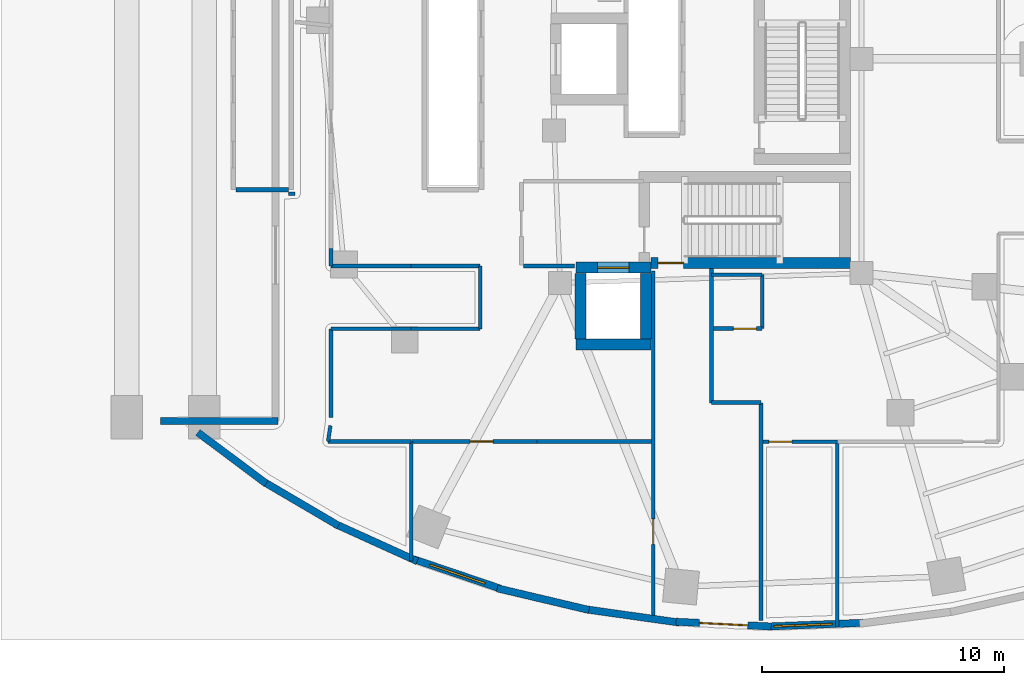
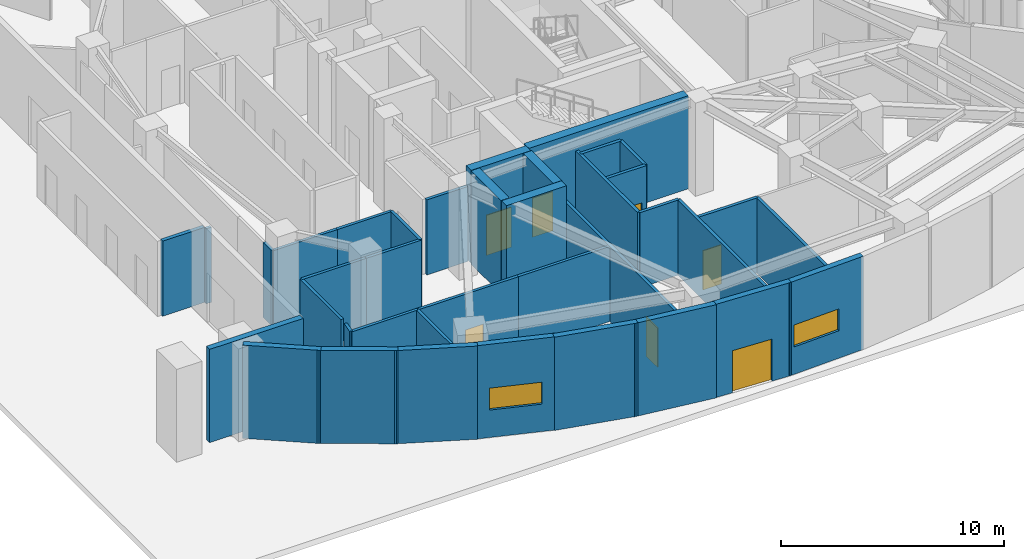
# One storey, part 17 of 28: 38 walls, 7 doors, 2 windows, 9 openings.
"""IFC4 building model written with IfcOpenShell, lengths in metres."""

from ifc_helpers import new_model, si_unit, direction, frame, frame_2d, origin, place, context, subcontext, project, spatial, rectangle, extrude, material, layer, layer_set, type_object, element, fill, save


model = new_model("IFC4")

# Units and contexts
model_context = context("Model", 3, precision=1e-05, world=origin(), true_north=direction((0.0, 1.0)))
body_context = subcontext(model_context, "Body", "Model", "MODEL_VIEW")
ifc_project = project(units=[si_unit("LENGTHUNIT", "METRE"), si_unit("AREAUNIT", "SQUARE_METRE"), si_unit("VOLUMEUNIT", "CUBIC_METRE"), si_unit("PLANEANGLEUNIT", "RADIAN"), si_unit("MASSUNIT", "GRAM", prefix="KILO")], contexts=[model_context])

# Site, building, storey
site_placement = place(None, origin())
site = spatial("IfcSite", under=ifc_project, at=site_placement, CompositionType="ELEMENT")
building_placement = place(site_placement, origin())
building = spatial("IfcBuilding", under=site, at=building_placement, Name="Korentha Bioscience Tower", CompositionType="ELEMENT")
storey_placement = place(building_placement, origin())
storey = spatial("IfcBuildingStorey", under=building, at=storey_placement, Name="L00", CompositionType="ELEMENT", Elevation=0.0)

# Wall, opening, door
ifc_material_1 = material(Name="Double-Stud Acoustic Gypsum", Category="gypsum")
ifc_layer_1 = layer(ifc_material_1, 0.14990234375, Name="Double-Stud Acoustic Gypsum")
ifc_layer_set_1 = layer_set([ifc_layer_1], Name="Double-Stud Acoustic Gypsum (IW-L150)")
wall_type_1 = type_object("IfcWallType", Name="Acoustic Laboratory Partition Wall 150", PredefinedType="PARTITIONING", material=ifc_layer_set_1)
wall_1_placement = place(storey_placement, frame((18.9580078125, 11.199951171875, 0.0), z_axis=(0.0, 0.0, 1.0), x_axis=(1.0, 0.0, 0.0)))
wall_1 = element("IfcWall", 1, at=wall_1_placement, inside=storey, type_object=wall_type_1, Name="L00 Bioscience Outreach Bookstore 02 Entrance Wall", PredefinedType="PARTITIONING", context=body_context, shape_type="SweptSolid", body=[
    extrude(rectangle(XDim=5.182861328125, YDim=0.14990234375, at=frame_2d((2.59130859375, 0.0))), origin(), (0.0, 0.0, 1.0), 4.110107421875),
])
opening_1_placement = place(wall_1_placement, frame((2.429931640625, 0.0, 0.0)))
opening_1 = element("IfcOpeningElement", 2, at=opening_1_placement, cuts=wall_1, Name="Opening ID-10R", PredefinedType="OPENING", context=body_context, shape_type="SweptSolid", body=[
    extrude(rectangle(XDim=0.949951171875, YDim=2.14990234375, at=frame_2d((0.47509765625, 1.074951171875))), frame((0.0, 0.08984375, 0.0), z_axis=(0.0, -1.0, 0.0), x_axis=(1.0, 0.0, 0.0)), (0.0, 0.0, 1.0), 0.1796875),
])
ifc_material_2 = material(Name="Phenolic Laminate Timber Core", Category="wood")
door_type_1 = type_object("IfcDoorType", Name="Laboratory Single Leaf Door 950x2150 Right", OperationType="SINGLE_SWING_RIGHT", PredefinedType="DOOR", material=ifc_material_2)
door_1_placement = place(opening_1_placement, origin())
door_1 = element("IfcDoor", 3, at=door_1_placement, inside=storey, type_object=door_type_1, Name="L00 Bioscience Outreach Bookstore 02 Door", OperationType="SINGLE_SWING_RIGHT", OverallHeight=2.14990234375, OverallWidth=0.949951171875, PredefinedType="DOOR", context=body_context, shape_type="SweptSolid", body=[
    extrude(rectangle(XDim=0.949951171875, YDim=2.14990234375, at=frame_2d((0.47509765625, 1.074951171875))), frame((0.0, 0.02490234375, 0.0), z_axis=(0.0, -1.0, 0.0), x_axis=(1.0, 0.0, 0.0)), (0.0, 0.0, 1.0), 0.050048828125),
])
fill(opening_1, door_1)

# Walls
wall_2_placement = place(storey_placement, frame((13.8798828125, 21.43994140625, 0.0), z_axis=(0.0, 0.0, 1.0), x_axis=(1.0, 0.0, 0.0)))
element("IfcWall", 4, at=wall_2_placement, inside=storey, type_object=wall_type_1, Name="L00 Interior Partition 022", PredefinedType="PARTITIONING", context=body_context, shape_type="SweptSolid", body=[
    extrude(rectangle(XDim=0.27001953125, YDim=0.14990234375, at=frame_2d((0.135009765625, 0.0))), origin(), (0.0, 0.0, 1.0), 4.110107421875),
])
wall_3_placement = place(storey_placement, frame((15.639892578125, 19.1748046875, 0.0), z_axis=(0.0, 0.0, 1.0), x_axis=(0.0, -1.0, 0.0)))
element("IfcWall", 5, at=wall_3_placement, inside=storey, type_object=wall_type_1, Name="L00 Interior Partition 025", PredefinedType="PARTITIONING", context=body_context, shape_type="SweptSolid", body=[
    extrude(rectangle(XDim=0.720703125, YDim=0.14990234375, at=frame_2d((0.3603515625, 0.0))), origin(), (0.0, 0.0, 1.0), 4.110107421875),
])
wall_4_placement = place(storey_placement, frame((15.64404296875, 18.449951171875, 0.0), z_axis=(0.0, 0.0, 1.0), x_axis=(1.0, 0.0, 0.0)))
element("IfcWall", 6, at=wall_4_placement, inside=storey, type_object=wall_type_1, Name="L00 Interior Partition 026", PredefinedType="PARTITIONING", context=body_context, shape_type="SweptSolid", body=[
    extrude(rectangle(XDim=3.3037109375, YDim=0.14990234375, at=frame_2d((1.65185546875, 0.0))), origin(), (0.0, 0.0, 1.0), 4.110107421875),
])
wall_5_placement = place(storey_placement, frame((18.9521484375, 18.449951171875, 0.0), z_axis=(0.0, 0.0, 1.0), x_axis=(1.0, 0.0, 0.0)))
element("IfcWall", 7, at=wall_5_placement, inside=storey, type_object=wall_type_1, Name="L00 Interior Partition 027", PredefinedType="PARTITIONING", context=body_context, shape_type="SweptSolid", body=[
    extrude(rectangle(XDim=2.84765625, YDim=0.14990234375, at=frame_2d((1.423828125, 0.0))), origin(), (0.0, 0.0, 1.0), 4.110107421875),
])
wall_6_placement = place(storey_placement, frame((21.800048828125, 18.449951171875, 0.0), z_axis=(0.0, 0.0, 1.0), x_axis=(0.0, -1.0, 0.0)))
element("IfcWall", 8, at=wall_6_placement, inside=storey, type_object=wall_type_1, Name="L00 Interior Partition 028", PredefinedType="PARTITIONING", context=body_context, shape_type="SweptSolid", body=[
    extrude(rectangle(XDim=2.599853515625, YDim=0.14990234375, at=frame_2d((1.2998046875, 0.0))), origin(), (0.0, 0.0, 1.0), 4.110107421875),
])
wall_7_placement = place(storey_placement, frame((21.7998046875, 15.85009765625, 0.0), z_axis=(0.0, 0.0, 1.0), x_axis=(-1.0, 0.0, 0.0)))
element("IfcWall", 9, at=wall_7_placement, inside=storey, type_object=wall_type_1, Name="L00 Interior Partition 029", PredefinedType="PARTITIONING", context=body_context, shape_type="SweptSolid", body=[
    extrude(rectangle(XDim=2.84765625, YDim=0.14990234375, at=frame_2d((1.423828125, 0.0))), origin(), (0.0, 0.0, 1.0), 4.110107421875),
])
wall_8_placement = place(storey_placement, frame((18.94775390625, 15.85009765625, 0.0), z_axis=(0.0, 0.0, 1.0), x_axis=(-1.0, 0.0, 0.0)))
element("IfcWall", 10, at=wall_8_placement, inside=storey, type_object=wall_type_1, Name="L00 Interior Partition 030", PredefinedType="PARTITIONING", context=body_context, shape_type="SweptSolid", body=[
    extrude(rectangle(XDim=3.3037109375, YDim=0.14990234375, at=frame_2d((1.65185546875, 0.0))), origin(), (0.0, 0.0, 1.0), 4.110107421875),
])
wall_9_placement = place(storey_placement, frame((15.639892578125, 15.845947265625, 0.0), z_axis=(0.0, 0.0, 1.0), x_axis=(0.0, -1.0, 0.0)))
element("IfcWall", 11, at=wall_9_placement, inside=storey, type_object=wall_type_1, Name="L00 Interior Partition 031", PredefinedType="PARTITIONING", context=body_context, shape_type="SweptSolid", body=[
    extrude(rectangle(XDim=3.64599609375, YDim=0.14990234375, at=frame_2d((1.822998046875, 0.0))), origin(), (0.0, 0.0, 1.0), 4.110107421875),
])
wall_10_placement = place(storey_placement, frame((15.615234375, 11.85595703125, 0.0), z_axis=(0.0, 0.0, 1.0), x_axis=(-0.146454599024, -0.989217392904, 0.0)))
element("IfcWall", 12, at=wall_10_placement, inside=storey, type_object=wall_type_1, Name="L00 Interior Partition 032", PredefinedType="PARTITIONING", context=body_context, shape_type="SweptSolid", body=[
    extrude(rectangle(XDim=0.658447265625, YDim=0.14990234375, at=frame_2d((0.3291015625, 0.0))), origin(), (0.0, 0.0, 1.0), 4.110107421875),
])
wall_11_placement = place(storey_placement, frame((15.522705078125, 11.199951171875, 0.0), z_axis=(0.0, 0.0, 1.0), x_axis=(1.0, 0.0, 0.0)))
element("IfcWall", 13, at=wall_11_placement, inside=storey, type_object=wall_type_1, Name="L00 Interior Partition 033", PredefinedType="PARTITIONING", context=body_context, shape_type="SweptSolid", body=[
    extrude(rectangle(XDim=3.425048828125, YDim=0.14990234375, at=frame_2d((1.71240234375, 0.0))), origin(), (0.0, 0.0, 1.0), 4.110107421875),
])
wall_12_placement = place(storey_placement, frame((18.947998046875, 11.19970703125, 0.0), z_axis=(0.0, 0.0, 1.0), x_axis=(0.0, -1.0, 0.0)))
element("IfcWall", 14, at=wall_12_placement, inside=storey, type_object=wall_type_1, Name="L00 Interior Partition 034", PredefinedType="PARTITIONING", context=body_context, shape_type="SweptSolid", body=[
    extrude(rectangle(XDim=4.93310546875, YDim=0.14990234375, at=frame_2d((2.466552734375, 0.0))), origin(), (0.0, 0.0, 1.0), 4.110107421875),
])
wall_13_placement = place(storey_placement, frame((24.145263671875, 11.199951171875, 0.0), z_axis=(0.0, 0.0, 1.0), x_axis=(1.0, 0.0, 0.0)))
element("IfcWall", 15, at=wall_13_placement, inside=storey, type_object=wall_type_1, Name="L00 Interior Partition 035", PredefinedType="PARTITIONING", context=body_context, shape_type="SweptSolid", body=[
    extrude(rectangle(XDim=4.720703125, YDim=0.14990234375, at=frame_2d((2.3603515625, 0.0))), origin(), (0.0, 0.0, 1.0), 4.110107421875),
])
ifc_material_3 = material(Name="Gypsum-Clad Steel Stud", Category="steel")
ifc_layer_2 = layer(ifc_material_3, 0.159912109375, Name="Gypsum-Clad Steel Stud")
ifc_layer_set_2 = layer_set([ifc_layer_2], Name="Gypsum-Clad Steel Stud (IW-C160)")
wall_type_2 = type_object("IfcWallType", Name="Fire-Rated Corridor Partition Wall 160", PredefinedType="PARTITIONING", material=ifc_layer_set_2)
wall_14_placement = place(storey_placement, frame((23.580078125, 18.449951171875, 0.0), z_axis=(0.0, 0.0, 1.0), x_axis=(1.0, 0.0, 0.0)))
element("IfcWall", 16, at=wall_14_placement, inside=storey, type_object=wall_type_2, Name="L00 Firefighting Lobby Return Wall FFLS-S", PredefinedType="PARTITIONING", context=body_context, shape_type="SweptSolid", body=[
    extrude(rectangle(XDim=2.119873046875, YDim=0.159912109375, at=frame_2d((1.06005859375, 0.0))), origin(), (0.0, 0.0, 1.0), 4.110107421875),
])

# Wall, opening, door
wall_15_placement = place(storey_placement, frame((28.949951171875, 18.25, 0.0), z_axis=(0.0, 0.0, 1.0), x_axis=(0.0, -1.0, 0.0)))
wall_15 = element("IfcWall", 17, at=wall_15_placement, inside=storey, type_object=wall_type_2, Name="L00 Protected Exit Passageway Rated Wall EXP2-W2", PredefinedType="PARTITIONING", context=body_context, shape_type="SweptSolid", body=[
    extrude(rectangle(XDim=14.449951171875, YDim=0.159912109375, at=frame_2d((7.22509765625, 0.0))), origin(), (0.0, 0.0, 1.0), 4.110107421875),
])
opening_2_placement = place(wall_15_placement, frame((10.25, 0.0, 0.0)))
opening_2 = element("IfcOpeningElement", 18, at=opening_2_placement, cuts=wall_15, Name="Opening FD-90L", PredefinedType="OPENING", context=body_context, shape_type="SweptSolid", body=[
    extrude(rectangle(XDim=1.050048828125, YDim=2.14990234375, at=frame_2d((0.52490234375, 1.074951171875))), frame((0.0, 0.0947265625, 0.0), z_axis=(0.0, -1.0, 0.0), x_axis=(1.0, 0.0, 0.0)), (0.0, 0.0, 1.0), 0.189697265625),
])
ifc_material_4 = material(Name="Powder-Coated Fire-Rated Steel", Category="steel")
door_type_2 = type_object("IfcDoorType", Name="Stairwell Fire Exit Door 1050x2150 Left", OperationType="SINGLE_SWING_LEFT", PredefinedType="DOOR", material=ifc_material_4)
door_2_placement = place(opening_2_placement, origin())
door_2 = element("IfcDoor", 19, at=door_2_placement, inside=storey, type_object=door_type_2, Name="L00 Exit Passageway Rated Access Door EXP2-W2", OperationType="SINGLE_SWING_LEFT", OverallHeight=2.14990234375, OverallWidth=1.050048828125, PredefinedType="DOOR", context=body_context, shape_type="SweptSolid", body=[
    extrude(rectangle(XDim=1.050048828125, YDim=2.14990234375, at=frame_2d((0.52490234375, 1.074951171875))), frame((0.0, 0.02490234375, 0.0), z_axis=(0.0, -1.0, 0.0), x_axis=(1.0, 0.0, 0.0)), (0.0, 0.0, 1.0), 0.050048828125),
])
fill(opening_2, door_2)

# Walls
wall_16_placement = place(storey_placement, frame((31.35009765625, 12.800048828125, 0.0), z_axis=(0.0, 0.0, 1.0), x_axis=(0.0, 1.0, 0.0)))
element("IfcWall", 20, at=wall_16_placement, inside=storey, type_object=wall_type_2, Name="L00 Protected Exit Passageway Rated Wall EXP2-E1", PredefinedType="PARTITIONING", context=body_context, shape_type="SweptSolid", body=[
    extrude(rectangle(XDim=5.550048828125, YDim=0.159912109375, at=frame_2d((2.77490234375, 0.0))), origin(), (0.0, 0.0, 1.0), 4.110107421875),
])
wall_17_placement = place(storey_placement, frame((33.39990234375, 3.800048828125, 0.0), z_axis=(0.0, 0.0, 1.0), x_axis=(0.0, 1.0, 0.0)))
element("IfcWall", 21, at=wall_17_placement, inside=storey, type_object=wall_type_2, Name="L00 Protected Exit Passageway Rated Wall EXP2-E2", PredefinedType="PARTITIONING", context=body_context, shape_type="SweptSolid", body=[
    extrude(rectangle(XDim=9.0, YDim=0.159912109375, at=frame_2d((4.5, 0.0))), origin(), (0.0, 0.0, 1.0), 4.110107421875),
])

# Wall, opening, door
wall_18_placement = place(storey_placement, frame((33.449951171875, 15.860107421875, 0.0), z_axis=(0.0, 0.0, 1.0), x_axis=(-1.0, 0.0, 0.0)))
wall_18 = element("IfcWall", 22, at=wall_18_placement, inside=storey, type_object=wall_type_2, Name="L00 Core Instrumentation and Gas Store Entrance Wall", PredefinedType="PARTITIONING", context=body_context, shape_type="SweptSolid", body=[
    extrude(rectangle(XDim=2.02001953125, YDim=0.159912109375, at=frame_2d((1.010009765625, 0.0))), origin(), (0.0, 0.0, 1.0), 4.110107421875),
])
opening_3_placement = place(wall_18_placement, frame((0.239990234375, 0.0, 0.0)))
opening_3 = element("IfcOpeningElement", 23, at=opening_3_placement, cuts=wall_18, Name="Opening ID-10L", PredefinedType="OPENING", context=body_context, shape_type="SweptSolid", body=[
    extrude(rectangle(XDim=0.949951171875, YDim=2.14990234375, at=frame_2d((0.47509765625, 1.074951171875))), frame((0.0, 0.0947265625, 0.0), z_axis=(0.0, -1.0, 0.0), x_axis=(1.0, 0.0, 0.0)), (0.0, 0.0, 1.0), 0.189697265625),
])
door_type_3 = type_object("IfcDoorType", Name="Laboratory Single Leaf Door 950x2150 Left", OperationType="SINGLE_SWING_LEFT", PredefinedType="DOOR", material=ifc_material_2)
door_3_placement = place(opening_3_placement, origin())
door_3 = element("IfcDoor", 24, at=door_3_placement, inside=storey, type_object=door_type_3, Name="L00 Core Instrumentation and Gas Store Door", OperationType="SINGLE_SWING_LEFT", OverallHeight=2.14990234375, OverallWidth=0.949951171875, PredefinedType="DOOR", context=body_context, shape_type="SweptSolid", body=[
    extrude(rectangle(XDim=0.949951171875, YDim=2.14990234375, at=frame_2d((0.47509765625, 1.074951171875))), frame((0.0, 0.02490234375, 0.0), z_axis=(0.0, -1.0, 0.0), x_axis=(1.0, 0.0, 0.0)), (0.0, 0.0, 1.0), 0.050048828125),
])
fill(opening_3, door_3)

wall_19_placement = place(storey_placement, frame((33.47998046875, 11.18994140625, 0.0), z_axis=(0.0, 0.0, 1.0), x_axis=(1.0, 0.0, 0.0)))
wall_19 = element("IfcWall", 25, at=wall_19_placement, inside=storey, type_object=wall_type_2, Name="L00 Courier Specimen Receiving Room 03 Entrance Wall", PredefinedType="PARTITIONING", context=body_context, shape_type="SweptSolid", body=[
    extrude(rectangle(XDim=3.068115234375, YDim=0.159912109375, at=frame_2d((1.5341796875, 0.0))), origin(), (0.0, 0.0, 1.0), 4.110107421875),
])
opening_4_placement = place(wall_19_placement, frame((0.239990234375, 0.0, 0.0)))
opening_4 = element("IfcOpeningElement", 26, at=opening_4_placement, cuts=wall_19, Name="Opening ID-10L", PredefinedType="OPENING", context=body_context, shape_type="SweptSolid", body=[
    extrude(rectangle(XDim=0.949951171875, YDim=2.14990234375, at=frame_2d((0.47509765625, 1.074951171875))), frame((0.0, 0.0947265625, 0.0), z_axis=(0.0, -1.0, 0.0), x_axis=(1.0, 0.0, 0.0)), (0.0, 0.0, 1.0), 0.189697265625),
])
door_4_placement = place(opening_4_placement, origin())
door_4 = element("IfcDoor", 27, at=door_4_placement, inside=storey, type_object=door_type_3, Name="L00 Courier Specimen Receiving Room 03 Door", OperationType="SINGLE_SWING_LEFT", OverallHeight=2.14990234375, OverallWidth=0.949951171875, PredefinedType="DOOR", context=body_context, shape_type="SweptSolid", body=[
    extrude(rectangle(XDim=0.949951171875, YDim=2.14990234375, at=frame_2d((0.47509765625, 1.074951171875))), frame((0.0, 0.02490234375, 0.0), z_axis=(0.0, -1.0, 0.0), x_axis=(1.0, 0.0, 0.0)), (0.0, 0.0, 1.0), 0.050048828125),
])
fill(opening_4, door_4)

# Walls
wall_20_placement = place(storey_placement, frame((31.360107421875, 18.090087890625, 0.0), z_axis=(0.0, 0.0, 1.0), x_axis=(1.0, 0.0, 0.0)))
element("IfcWall", 28, at=wall_20_placement, inside=storey, type_object=wall_type_2, Name="L00 Interior Partition 018", PredefinedType="PARTITIONING", context=body_context, shape_type="SweptSolid", body=[
    extrude(rectangle(XDim=2.08984375, YDim=0.159912109375, at=frame_2d((1.044921875, 0.0))), origin(), (0.0, 0.0, 1.0), 4.110107421875),
])
wall_21_placement = place(storey_placement, frame((33.449951171875, 18.090087890625, 0.0), z_axis=(0.0, 0.0, 1.0), x_axis=(0.0, -1.0, 0.0)))
element("IfcWall", 29, at=wall_21_placement, inside=storey, type_object=wall_type_2, Name="L00 Interior Partition 019", PredefinedType="PARTITIONING", context=body_context, shape_type="SweptSolid", body=[
    extrude(rectangle(XDim=2.22998046875, YDim=0.159912109375, at=frame_2d((1.114990234375, 0.0))), origin(), (0.0, 0.0, 1.0), 4.110107421875),
])
wall_22_placement = place(storey_placement, frame((33.39990234375, 12.81005859375, 0.0), z_axis=(0.0, 0.0, 1.0), x_axis=(-1.0, 0.0, 0.0)))
element("IfcWall", 30, at=wall_22_placement, inside=storey, type_object=wall_type_2, Name="L00 Interior Partition 036", PredefinedType="PARTITIONING", context=body_context, shape_type="SweptSolid", body=[
    extrude(rectangle(XDim=2.039794921875, YDim=0.159912109375, at=frame_2d((1.02001953125, 0.0))), origin(), (0.0, 0.0, 1.0), 4.110107421875),
])
wall_23_placement = place(storey_placement, frame((36.548095703125, 11.18994140625, 0.0), z_axis=(0.0, 0.0, 1.0), x_axis=(0.0, -1.0, 0.0)))
element("IfcWall", 31, at=wall_23_placement, inside=storey, type_object=wall_type_2, Name="L00 Interior Partition 037", PredefinedType="PARTITIONING", context=body_context, shape_type="SweptSolid", body=[
    extrude(rectangle(XDim=7.660400390625, YDim=0.159912109375, at=frame_2d((3.830078125, 0.0))), origin(), (0.0, 0.0, 1.0), 4.110107421875),
])

# Wall, opening, window
ifc_material_5 = material(Name="Honed Limestone Precast Concrete C40", Category="masonry")
ifc_layer_3 = layer(ifc_material_5, 0.300048828125, Name="Honed Limestone Precast Concrete C40")
ifc_layer_set_3 = layer_set([ifc_layer_3], Name="Honed Limestone Precast Concrete C40 (EW-ST300)")
wall_type_3 = type_object("IfcWallType", Name="Honed Limestone Cavity Spandrel Wall 300", PredefinedType="STANDARD", material=ifc_layer_set_3)
wall_24_placement = place(storey_placement, frame((19.0654296875, 6.333251953125, 0.0), z_axis=(0.0, 0.0, 1.0), x_axis=(0.947034337234, -0.321132315564, 0.0)))
wall_24 = element("IfcWall", 32, at=wall_24_placement, inside=storey, type_object=wall_type_3, Name="L00 Honed Limestone Spandrel Wall 28", PredefinedType="STANDARD", context=body_context, shape_type="SweptSolid", body=[
    extrude(rectangle(XDim=3.789794921875, YDim=0.300048828125, at=frame_2d((1.89501953125, 0.0))), origin(), (0.0, 0.0, 1.0), 5.10009765625),
])
opening_5_placement = place(wall_24_placement, frame((0.69482421875, 0.0, 1.5)))
opening_5 = element("IfcOpeningElement", 33, at=opening_5_placement, cuts=wall_24, Name="Opening WN-04", PredefinedType="OPENING", context=body_context, shape_type="SweptSolid", body=[
    extrude(rectangle(XDim=2.39990234375, YDim=1.199951171875, at=frame_2d((1.199951171875, 0.60009765625))), frame((0.0, 0.1650390625, 0.0), z_axis=(0.0, -1.0, 0.0), x_axis=(1.0, 0.0, 0.0)), (0.0, 0.0, 1.0), 0.329833984375),
])
ifc_material_6 = material(Name="Thermally Broken Aluminium Triple Glazing", Category="aluminium")
window_type = type_object("IfcWindowType", Name="Podium Clerestory Ribbon Window 2400x1200", PartitioningType="DOUBLE_PANEL_HORIZONTAL", PredefinedType="WINDOW", material=ifc_material_6)
window_1_placement = place(opening_5_placement, origin())
window_1 = element("IfcWindow", 34, at=window_1_placement, inside=storey, type_object=window_type, Name="L00 Facade Window 28", OverallHeight=1.199951171875, OverallWidth=2.39990234375, PartitioningType="DOUBLE_PANEL_HORIZONTAL", PredefinedType="WINDOW", context=body_context, shape_type="SweptSolid", body=[
    extrude(rectangle(XDim=2.39990234375, YDim=1.199951171875, at=frame_2d((1.199951171875, 0.60009765625))), frame((0.0, 0.030029296875, 0.0), z_axis=(0.0, -1.0, 0.0), x_axis=(1.0, 0.0, 0.0)), (0.0, 0.0, 1.0), 0.06005859375),
])
fill(opening_5, window_1)

# Wall, opening, door
wall_25_placement = place(storey_placement, frame((33.8212890625, 3.5576171875, 0.0), z_axis=(0.0, 0.0, 1.0), x_axis=(-0.99873153138, 0.050352042933, 0.0)))
wall_25 = element("IfcWall", 35, at=wall_25_placement, inside=storey, type_object=wall_type_3, Name="L00 Protected Exit Passageway Headwall 31", PredefinedType="STANDARD", context=body_context, shape_type="SweptSolid", body=[
    extrude(rectangle(XDim=3.93701171875, YDim=0.300048828125, at=frame_2d((1.968505859375, 0.0))), origin(), (0.0, 0.0, 1.0), 5.10009765625),
])
opening_6_placement = place(wall_25_placement, frame((0.968505859375, 0.0, 0.0)))
opening_6 = element("IfcOpeningElement", 36, at=opening_6_placement, cuts=wall_25, Name="Opening ED-20F", PredefinedType="OPENING", context=body_context, shape_type="SweptSolid", body=[
    extrude(rectangle(XDim=2.0, YDim=2.300048828125, at=frame_2d((1.0, 1.14990234375))), frame((0.0, 0.1650390625, 0.0), z_axis=(0.0, -1.0, 0.0), x_axis=(1.0, 0.0, 0.0)), (0.0, 0.0, 1.0), 0.329833984375),
])
ifc_material_7 = material(Name="Powder-Coated Steel Leaf", Category="steel")
door_type_4 = type_object("IfcDoorType", Name="Fire Exit Discharge Double Door 2000x2300", OperationType="DOUBLE_DOOR_SINGLE_SWING", PredefinedType="DOOR", material=ifc_material_7)
door_5_placement = place(opening_6_placement, origin())
door_5 = element("IfcDoor", 37, at=door_5_placement, inside=storey, type_object=door_type_4, Name="L00 ST-2 South Exit Passageway Final Discharge Door", OperationType="DOUBLE_DOOR_SINGLE_SWING", OverallHeight=2.300048828125, OverallWidth=2.0, PredefinedType="DOOR", context=body_context, shape_type="SweptSolid", body=[
    extrude(rectangle(XDim=2.0, YDim=2.300048828125, at=frame_2d((1.0, 1.14990234375))), frame((0.0, 0.02490234375, 0.0), z_axis=(0.0, -1.0, 0.0), x_axis=(1.0, 0.0, 0.0)), (0.0, 0.0, 1.0), 0.050048828125),
])
fill(opening_6, door_5)

# Wall, opening, window
wall_26_placement = place(storey_placement, frame((33.68701171875, 3.558349609375, 0.0), z_axis=(0.0, 0.0, 1.0), x_axis=(0.999247008469, 0.038799691558, 0.0)))
wall_26 = element("IfcWall", 38, at=wall_26_placement, inside=storey, type_object=wall_type_3, Name="L00 Honed Limestone Spandrel Wall 32", PredefinedType="STANDARD", context=body_context, shape_type="SweptSolid", body=[
    extrude(rectangle(XDim=3.93896484375, YDim=0.300048828125, at=frame_2d((1.969482421875, 0.0))), origin(), (0.0, 0.0, 1.0), 5.10009765625),
])
opening_7_placement = place(wall_26_placement, frame((0.247802734375, 0.0, 1.5)))
opening_7 = element("IfcOpeningElement", 39, at=opening_7_placement, cuts=wall_26, Name="Opening WN-04", PredefinedType="OPENING", context=body_context, shape_type="SweptSolid", body=[
    extrude(rectangle(XDim=2.39990234375, YDim=1.199951171875, at=frame_2d((1.199951171875, 0.60009765625))), frame((0.0, 0.1650390625, 0.0), z_axis=(0.0, -1.0, 0.0), x_axis=(1.0, 0.0, 0.0)), (0.0, 0.0, 1.0), 0.329833984375),
])
window_2_placement = place(opening_7_placement, origin())
window_2 = element("IfcWindow", 40, at=window_2_placement, inside=storey, type_object=window_type, Name="L00 Facade Window 32", OverallHeight=1.199951171875, OverallWidth=2.39990234375, PartitioningType="DOUBLE_PANEL_HORIZONTAL", PredefinedType="WINDOW", context=body_context, shape_type="SweptSolid", body=[
    extrude(rectangle(XDim=2.39990234375, YDim=1.199951171875, at=frame_2d((1.199951171875, 0.60009765625))), frame((0.0, 0.030029296875, 0.0), z_axis=(0.0, -1.0, 0.0), x_axis=(1.0, 0.0, 0.0)), (0.0, 0.0, 1.0), 0.06005859375),
])
fill(opening_7, window_2)

# Walls
wall_27_placement = place(storey_placement, frame((10.141845703125, 11.573486328125, 0.0), z_axis=(0.0, 0.0, 1.0), x_axis=(0.800823020995, -0.598901067827, 0.0)))
element("IfcWall", 41, at=wall_27_placement, inside=storey, type_object=wall_type_3, Name="L00 Limestone Perimeter Closure Wall 25", PredefinedType="STANDARD", context=body_context, shape_type="SweptSolid", body=[
    extrude(rectangle(XDim=3.520751953125, YDim=0.300048828125, at=frame_2d((1.76025390625, 0.0))), origin(), (0.0, 0.0, 1.0), 5.10009765625),
])
wall_28_placement = place(storey_placement, frame((12.8154296875, 9.56201171875, 0.0), z_axis=(0.0, 0.0, 1.0), x_axis=(0.8624654944, -0.506115867139, 0.0)))
element("IfcWall", 42, at=wall_28_placement, inside=storey, type_object=wall_type_3, Name="L00 Limestone Perimeter Closure Wall 26", PredefinedType="STANDARD", context=body_context, shape_type="SweptSolid", body=[
    extrude(rectangle(XDim=3.63525390625, YDim=0.300048828125, at=frame_2d((1.817626953125, 0.0))), origin(), (0.0, 0.0, 1.0), 5.10009765625),
])
wall_29_placement = place(storey_placement, frame((15.7958984375, 7.80224609375, 0.0), z_axis=(0.0, 0.0, 1.0), x_axis=(0.910623406862, -0.413237233166, 0.0)))
element("IfcWall", 43, at=wall_29_placement, inside=storey, type_object=wall_type_3, Name="L00 Limestone Perimeter Closure Wall 27", PredefinedType="STANDARD", context=body_context, shape_type="SweptSolid", body=[
    extrude(rectangle(XDim=3.73974609375, YDim=0.300048828125, at=frame_2d((1.869873046875, 0.0))), origin(), (0.0, 0.0, 1.0), 5.10009765625),
])
wall_30_placement = place(storey_placement, frame((22.50048828125, 5.138427734375, 0.0), z_axis=(0.0, 0.0, 1.0), x_axis=(0.973197600754, -0.229970497863, 0.0)))
element("IfcWall", 44, at=wall_30_placement, inside=storey, type_object=wall_type_3, Name="L00 Limestone Perimeter Closure Wall 29", PredefinedType="STANDARD", context=body_context, shape_type="SweptSolid", body=[
    extrude(rectangle(XDim=3.9013671875, YDim=0.300048828125, at=frame_2d((1.95068359375, 0.0))), origin(), (0.0, 0.0, 1.0), 5.10009765625),
])
wall_31_placement = place(storey_placement, frame((26.127685546875, 4.273193359375, 0.0), z_axis=(0.0, 0.0, 1.0), x_axis=(0.990165832998, -0.139898617443, 0.0)))
element("IfcWall", 45, at=wall_31_placement, inside=storey, type_object=wall_type_3, Name="L00 Limestone Perimeter Closure Wall 30", PredefinedType="STANDARD", context=body_context, shape_type="SweptSolid", body=[
    extrude(rectangle(XDim=3.950927734375, YDim=0.300048828125, at=frame_2d((1.9755859375, 0.0))), origin(), (0.0, 0.0, 1.0), 5.10009765625),
])
wall_32_placement = place(storey_placement, frame((8.60009765625, 12.050048828125, 0.0), z_axis=(0.0, 0.0, 1.0), x_axis=(1.0, 0.0, 0.0)))
element("IfcWall", 46, at=wall_32_placement, inside=storey, type_object=wall_type_3, Name="L00 Arch Plaza Recess South Cheek Wall", PredefinedType="STANDARD", context=body_context, shape_type="SweptSolid", body=[
    extrude(rectangle(XDim=4.849853515625, YDim=0.300048828125, at=frame_2d((2.4248046875, 0.0))), origin(), (0.0, 0.0, 1.0), 5.10009765625),
])
ifc_material_8 = material(Name="Autoclaved Aerated Concrete Block C25", Category="concrete")
ifc_layer_4 = layer(ifc_material_8, 0.199951171875, Name="Autoclaved Aerated Concrete Block C25")
ifc_layer_set_4 = layer_set([ifc_layer_4], Name="Autoclaved Aerated Concrete Block C25 (IW-S200)")
wall_type_4 = type_object("IfcWallType", Name="Lift and Riser Shaft Enclosure Wall 200", PredefinedType="PARTITIONING", material=ifc_layer_set_4)
wall_33_placement = place(storey_placement, frame((11.719970703125, 21.60009765625, 0.0), z_axis=(0.0, 0.0, 1.0), x_axis=(1.0, 0.0, 0.0)))
element("IfcWall", 47, at=wall_33_placement, inside=storey, type_object=wall_type_4, Name="L00 Lift Bank LOW Shaft Wall -Y", PredefinedType="PARTITIONING", context=body_context, shape_type="SweptSolid", body=[
    extrude(rectangle(XDim=2.159912109375, YDim=0.199951171875, at=frame_2d((1.080078125, 0.0))), origin(), (0.0, 0.0, 1.0), 4.110107421875),
])

# Wall, opening, door
ifc_material_9 = material(Name="Concrete C80", Category="concrete")
ifc_layer_5 = layer(ifc_material_9, 0.449951171875, Name="Concrete C80")
ifc_layer_set_5 = layer_set([ifc_layer_5], Name="Concrete C80 (CW-C80)")
wall_type_5 = type_object("IfcWallType", Name="Lower Core Shear Wall 450", PredefinedType="SHEAR", material=ifc_layer_set_5)
wall_34_placement = place(storey_placement, frame((28.85205078125, 18.574951171875, 0.0), z_axis=(0.0, 0.0, 1.0), x_axis=(1.0, 0.0, 0.0)))
wall_34 = element("IfcWall", 48, at=wall_34_placement, inside=storey, type_object=wall_type_5, Name="L00 Core Shear Wall ST2-S", PredefinedType="SHEAR", context=body_context, shape_type="SweptSolid", body=[
    extrude(rectangle(XDim=8.248046875, YDim=0.449951171875, at=frame_2d((4.1240234375, 0.0))), origin(), (0.0, 0.0, 1.0), 5.10009765625),
])
opening_8_placement = place(wall_34_placement, frame((0.300048828125, 0.0, 0.0)))
opening_8 = element("IfcOpeningElement", 49, at=opening_8_placement, cuts=wall_34, Name="Opening FD-90L", PredefinedType="OPENING", context=body_context, shape_type="SweptSolid", body=[
    extrude(rectangle(XDim=1.050048828125, YDim=2.14990234375, at=frame_2d((0.52490234375, 1.074951171875))), frame((0.0, 0.23974609375, 0.0), z_axis=(0.0, -1.0, 0.0), x_axis=(1.0, 0.0, 0.0)), (0.0, 0.0, 1.0), 0.479736328125),
])
door_6_placement = place(opening_8_placement, origin())
door_6 = element("IfcDoor", 50, at=door_6_placement, inside=storey, type_object=door_type_2, Name="L00 ST-2 Protected Exit Passageway Discharge Door", OperationType="SINGLE_SWING_LEFT", OverallHeight=2.14990234375, OverallWidth=1.050048828125, PredefinedType="DOOR", context=body_context, shape_type="SweptSolid", body=[
    extrude(rectangle(XDim=1.050048828125, YDim=2.14990234375, at=frame_2d((0.52490234375, 1.074951171875))), frame((0.0, 0.02490234375, 0.0), z_axis=(0.0, -1.0, 0.0), x_axis=(1.0, 0.0, 0.0)), (0.0, 0.0, 1.0), 0.050048828125),
])
fill(opening_8, door_6)

# Wall
wall_35_placement = place(storey_placement, frame((25.75, 15.199951171875, 0.0), z_axis=(0.0, 0.0, 1.0), x_axis=(1.0, 0.0, 0.0)))
element("IfcWall", 51, at=wall_35_placement, inside=storey, type_object=wall_type_5, Name="L00 Core Shear Wall FFL1-S", PredefinedType="SHEAR", context=body_context, shape_type="SweptSolid", body=[
    extrude(rectangle(XDim=3.10009765625, YDim=0.449951171875, at=frame_2d((1.550048828125, 0.0))), origin(), (0.0, 0.0, 1.0), 5.10009765625),
])

# Wall, opening, door
wall_36_placement = place(storey_placement, frame((25.75, 18.3798828125, 0.0), z_axis=(0.0, 0.0, 1.0), x_axis=(1.0, 0.0, 0.0)))
wall_36 = element("IfcWall", 52, at=wall_36_placement, inside=storey, type_object=wall_type_5, Name="L00 Core Shear Wall FFL1-N", PredefinedType="SHEAR", context=body_context, shape_type="SweptSolid", body=[
    extrude(rectangle(XDim=3.10009765625, YDim=0.449951171875, at=frame_2d((1.550048828125, 0.0))), origin(), (0.0, 0.0, 1.0), 5.10009765625),
])
opening_9_placement = place(wall_36_placement, frame((0.89990234375, 0.0, 0.0)))
opening_9 = element("IfcOpeningElement", 53, at=opening_9_placement, cuts=wall_36, Name="Opening LD-13", PredefinedType="OPENING", context=body_context, shape_type="SweptSolid", body=[
    extrude(rectangle(XDim=1.300048828125, YDim=2.199951171875, at=frame_2d((0.64990234375, 1.10009765625))), frame((0.0, 0.23974609375, 0.0), z_axis=(0.0, -1.0, 0.0), x_axis=(1.0, 0.0, 0.0)), (0.0, 0.0, 1.0), 0.479736328125),
])
ifc_material_10 = material(Name="Brushed Stainless Steel 316", Category="steel")
door_type_5 = type_object("IfcDoorType", Name="Service & Firefighting Lift Landing Door 1300x2300", OperationType="DOUBLE_DOOR_SLIDING", PredefinedType="DOOR", material=ifc_material_10)
door_7_placement = place(opening_9_placement, origin())
door_7 = element("IfcDoor", 54, at=door_7_placement, inside=storey, type_object=door_type_5, Name="L00 FFL-1 Sliding Lift Landing Door", OperationType="DOUBLE_DOOR_SLIDING", OverallHeight=2.199951171875, OverallWidth=1.300048828125, PredefinedType="DOOR", context=body_context, shape_type="SweptSolid", body=[
    extrude(rectangle(XDim=1.300048828125, YDim=2.199951171875, at=frame_2d((0.64990234375, 1.10009765625))), frame((0.0, 0.02490234375, 0.0), z_axis=(0.0, -1.0, 0.0), x_axis=(1.0, 0.0, 0.0)), (0.0, 0.0, 1.0), 0.050048828125),
])
fill(opening_9, door_7)

# Walls
for number, where, z_axis, x_axis, name in (
    (55, (25.949951171875, 15.43994140625, 0.0), (0.0, 0.0, 1.0), (0.0, 1.0, 0.0), "L00 Core Shear Wall FFL1-W"),
    (56, (28.64990234375, 15.43994140625, 0.0), (0.0, 0.0, 1.0), (0.0, 1.0, 0.0), "L00 Core Shear Wall FFL1-E"),
):
    element("IfcWall", number, at=place(storey_placement, frame(where, z_axis=z_axis, x_axis=x_axis)), inside=storey, type_object=wall_type_5, Name=name, PredefinedType="SHEAR", context=body_context, shape_type="SweptSolid", body=[
        extrude(rectangle(XDim=2.699951171875, YDim=0.449951171875, at=frame_2d((1.35009765625, 0.0))), origin(), (0.0, 0.0, 1.0), 5.10009765625),
    ])

save(model, "model.ifc")
